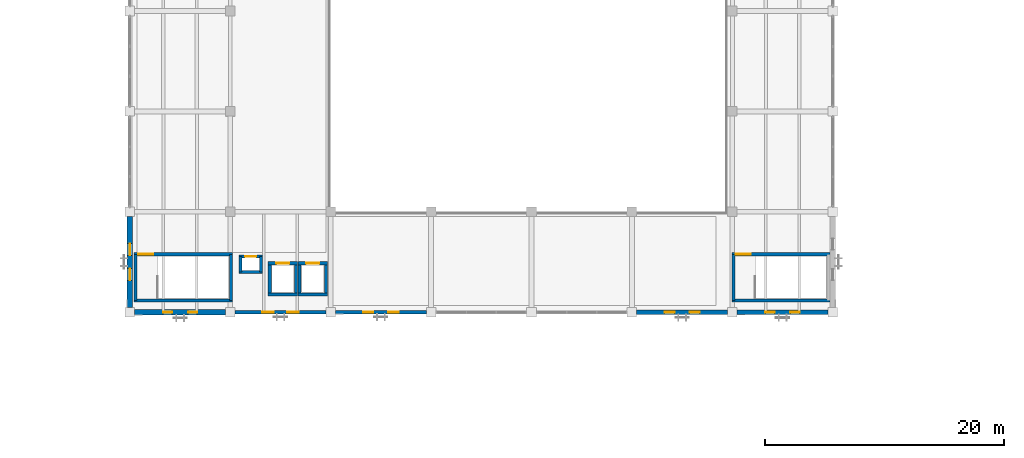
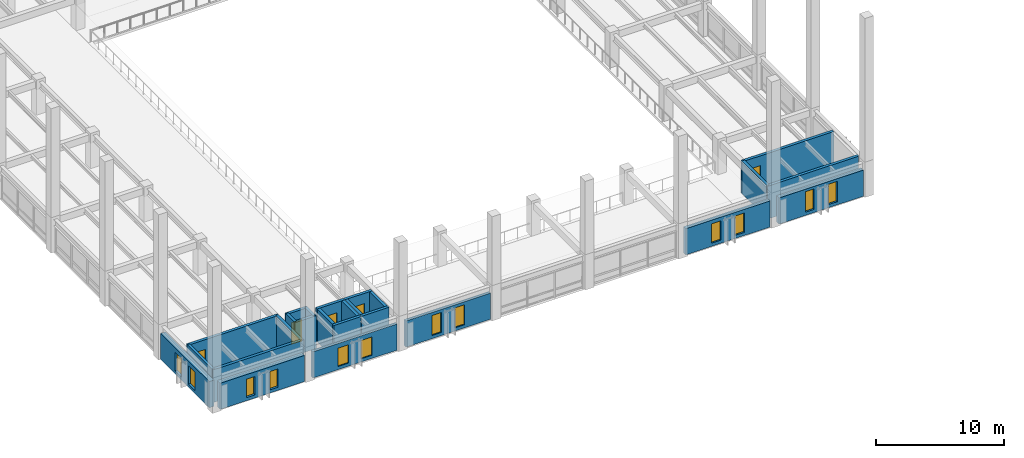
# One storey, part 30 of 64: 25 walls, 12 windows, 5 doors, 17 openings.
"""IFC4 building model written with IfcOpenShell, lengths in metres."""

from ifc_helpers import new_model, si_unit, direction, frame, frame_2d, origin, place, context, subcontext, project, spatial, rectangle, extrude, material, layer, layer_set, type_object, element, fill, save


model = new_model("IFC4")

# Units and contexts
model_context = context("Model", 3, precision=1e-05, world=origin(), true_north=direction((0.0, 1.0)))
body_context = subcontext(model_context, "Body", "Model", "MODEL_VIEW")
ifc_project = project(units=[si_unit("LENGTHUNIT", "METRE"), si_unit("AREAUNIT", "SQUARE_METRE"), si_unit("VOLUMEUNIT", "CUBIC_METRE"), si_unit("PLANEANGLEUNIT", "RADIAN"), si_unit("MASSUNIT", "GRAM", prefix="KILO")], contexts=[model_context])

# Site, building, storey
site_placement = place(None, origin())
site = spatial("IfcSite", under=ifc_project, at=site_placement, CompositionType="ELEMENT")
building_placement = place(site_placement, origin())
building = spatial("IfcBuilding", under=site, at=building_placement, Name="Cumbredor Promenade Congress Hotel", CompositionType="ELEMENT")
storey_placement = place(building_placement, frame((0.0, 0.0, 18.47998046875)))
storey = spatial("IfcBuildingStorey", under=building, at=storey_placement, Name="L05", CompositionType="ELEMENT", Elevation=18.47998046875)

# Wall, openings, windows
ifc_material_1 = material(Name="Concrete C40/50", Category="concrete")
ifc_layer_1 = layer(ifc_material_1, 0.260009765625, Name="Concrete C40/50", Category="concrete")
ifc_layer_set_1 = layer_set([ifc_layer_1], Name="Concrete C40/50")
wall_type_1 = type_object("IfcWallType", Name="WL-EXT-260", PredefinedType="SOLIDWALL", material=ifc_layer_set_1)
wall_1_placement = place(storey_placement, frame((17.200927734375, 8.39990234375, 0.0), z_axis=(0.0, 0.0, 1.0), x_axis=(1.0, 0.0, 0.0)))
wall_1 = element("IfcWall", 1, at=wall_1_placement, inside=storey, type_object=wall_type_1, Name="L05 Plenary Congress Hall South Envelope Wall 2", PredefinedType="SOLIDWALL", context=body_context, shape_type="SweptSolid", body=[
    extrude(rectangle(XDim=7.59814453125, YDim=0.260009765625, at=frame_2d((3.799072265625, 0.0))), origin(), (0.0, 0.0, 1.0), 2.494140625),
])
opening_1_placement = place(wall_1_placement, frame((2.259033203125, 0.0, 0.300048828125)))
opening_1 = element("IfcOpeningElement", 2, at=opening_1_placement, cuts=wall_1, Name="Opening WN-64", PredefinedType="OPENING", context=body_context, shape_type="SweptSolid", body=[
    extrude(rectangle(XDim=0.97998046875, YDim=1.75, at=frame_2d((0.489990234375, 0.875))), frame((0.0, 0.14013671875, 0.0), z_axis=(0.0, -1.0, 0.0), x_axis=(1.0, 0.0, 0.0)), (0.0, 0.0, 1.0), 0.280029296875),
])
opening_2_placement = place(wall_1_placement, frame((4.35888671875, 0.0, 0.300048828125)))
opening_2 = element("IfcOpeningElement", 3, at=opening_2_placement, cuts=wall_1, Name="Opening WN-64", PredefinedType="OPENING", context=body_context, shape_type="SweptSolid", body=[
    extrude(rectangle(XDim=0.97998046875, YDim=1.75, at=frame_2d((0.489990234375, 0.875))), frame((0.0, 0.14013671875, 0.0), z_axis=(0.0, -1.0, 0.0), x_axis=(1.0, 0.0, 0.0)), (0.0, 0.0, 1.0), 0.280029296875),
])
ifc_material_2 = material(Name="Thermally broken anodized aluminium and low-E glass", Category="aluminium")
window_type_1 = type_object("IfcWindowType", Name="Vertical Slot Window WN-64 980x1750", PartitioningType="SINGLE_PANEL", PredefinedType="WINDOW", material=ifc_material_2)
window_1_placement = place(opening_1_placement, origin())
window_1 = element("IfcWindow", 4, at=window_1_placement, inside=storey, type_object=window_type_1, Name="L05 Vertical Slot Window 0516", OverallHeight=1.75, OverallWidth=0.97998046875, PartitioningType="SINGLE_PANEL", PredefinedType="WINDOW", context=body_context, shape_type="SweptSolid", body=[
    extrude(rectangle(XDim=0.97998046875, YDim=1.75, at=frame_2d((0.489990234375, 0.875))), frame((0.0, 0.030029296875, 0.0), z_axis=(0.0, -1.0, 0.0), x_axis=(1.0, 0.0, 0.0)), (0.0, 0.0, 1.0), 0.06005859375),
])
fill(opening_1, window_1)
window_2_placement = place(opening_2_placement, origin())
window_2 = element("IfcWindow", 5, at=window_2_placement, inside=storey, type_object=window_type_1, Name="L05 Vertical Slot Window 0517", OverallHeight=1.75, OverallWidth=0.97998046875, PartitioningType="SINGLE_PANEL", PredefinedType="WINDOW", context=body_context, shape_type="SweptSolid", body=[
    extrude(rectangle(XDim=0.97998046875, YDim=1.75, at=frame_2d((0.489990234375, 0.875))), frame((0.0, 0.030029296875, 0.0), z_axis=(0.0, -1.0, 0.0), x_axis=(1.0, 0.0, 0.0)), (0.0, 0.0, 1.0), 0.06005859375),
])
fill(opening_2, window_2)

ifc_layer_2 = layer(ifc_material_1, 0.280029296875, Name="Concrete C40/50", Category="concrete")
ifc_layer_set_2 = layer_set([ifc_layer_2], Name="Concrete C40/50")
wall_type_2 = type_object("IfcWallType", Name="WL-EXT-280", PredefinedType="SOLIDWALL", material=ifc_layer_set_2)
wall_2_placement = place(storey_placement, frame((25.60107421875, 8.39990234375, 0.0), z_axis=(0.0, 0.0, 1.0), x_axis=(1.0, 0.0, 0.0)))
wall_2 = element("IfcWall", 6, at=wall_2_placement, inside=storey, type_object=wall_type_2, Name="L05 Plenary Congress Hall South Envelope Wall 3", PredefinedType="SOLIDWALL", context=body_context, shape_type="SweptSolid", body=[
    extrude(rectangle(XDim=7.597900390625, YDim=0.280029296875, at=frame_2d((3.798828125, 0.0))), origin(), (0.0, 0.0, 1.0), 2.494140625),
])
opening_3_placement = place(wall_2_placement, frame((2.323974609375, 0.0, 0.300048828125)))
opening_3 = element("IfcOpeningElement", 7, at=opening_3_placement, cuts=wall_2, Name="Opening WN-67", PredefinedType="OPENING", context=body_context, shape_type="SweptSolid", body=[
    extrude(rectangle(XDim=0.85009765625, YDim=1.89990234375, at=frame_2d((0.425048828125, 0.949951171875))), frame((0.0, 0.14990234375, 0.0), z_axis=(0.0, -1.0, 0.0), x_axis=(1.0, 0.0, 0.0)), (0.0, 0.0, 1.0), 0.300048828125),
])
opening_4_placement = place(wall_2_placement, frame((4.424072265625, 0.0, 0.300048828125)))
opening_4 = element("IfcOpeningElement", 8, at=opening_4_placement, cuts=wall_2, Name="Opening WN-67", PredefinedType="OPENING", context=body_context, shape_type="SweptSolid", body=[
    extrude(rectangle(XDim=0.85009765625, YDim=1.89990234375, at=frame_2d((0.425048828125, 0.949951171875))), frame((0.0, 0.14990234375, 0.0), z_axis=(0.0, -1.0, 0.0), x_axis=(1.0, 0.0, 0.0)), (0.0, 0.0, 1.0), 0.300048828125),
])
window_type_2 = type_object("IfcWindowType", Name="Vertical Slot Window WN-67 850x1900", PartitioningType="SINGLE_PANEL", PredefinedType="WINDOW", material=ifc_material_2)
window_3_placement = place(opening_3_placement, origin())
window_3 = element("IfcWindow", 9, at=window_3_placement, inside=storey, type_object=window_type_2, Name="L05 Vertical Slot Window 0518", OverallHeight=1.89990234375, OverallWidth=0.85009765625, PartitioningType="SINGLE_PANEL", PredefinedType="WINDOW", context=body_context, shape_type="SweptSolid", body=[
    extrude(rectangle(XDim=0.85009765625, YDim=1.89990234375, at=frame_2d((0.425048828125, 0.949951171875))), frame((0.0, 0.030029296875, 0.0), z_axis=(0.0, -1.0, 0.0), x_axis=(1.0, 0.0, 0.0)), (0.0, 0.0, 1.0), 0.06005859375),
])
fill(opening_3, window_3)
window_4_placement = place(opening_4_placement, origin())
window_4 = element("IfcWindow", 10, at=window_4_placement, inside=storey, type_object=window_type_2, Name="L05 Vertical Slot Window 0519", OverallHeight=1.89990234375, OverallWidth=0.85009765625, PartitioningType="SINGLE_PANEL", PredefinedType="WINDOW", context=body_context, shape_type="SweptSolid", body=[
    extrude(rectangle(XDim=0.85009765625, YDim=1.89990234375, at=frame_2d((0.425048828125, 0.949951171875))), frame((0.0, 0.030029296875, 0.0), z_axis=(0.0, -1.0, 0.0), x_axis=(1.0, 0.0, 0.0)), (0.0, 0.0, 1.0), 0.06005859375),
])
fill(opening_4, window_4)

ifc_layer_3 = layer(ifc_material_1, 0.35009765625, Name="Concrete C40/50", Category="concrete")
ifc_layer_set_3 = layer_set([ifc_layer_3], Name="Concrete C40/50")
wall_type_3 = type_object("IfcWallType", Name="WL-EXT-350", PredefinedType="SOLIDWALL", material=ifc_layer_set_3)
wall_3_placement = place(storey_placement, frame((50.801025390625, 8.39990234375, 0.0), z_axis=(0.0, 0.0, 1.0), x_axis=(1.0, 0.0, 0.0)))
wall_3 = element("IfcWall", 11, at=wall_3_placement, inside=storey, type_object=wall_type_3, Name="L05 Plenary Congress Hall South Envelope Wall 6", PredefinedType="SOLIDWALL", context=body_context, shape_type="SweptSolid", body=[
    extrude(rectangle(XDim=7.597900390625, YDim=0.35009765625, at=frame_2d((3.798828125, 0.0))), origin(), (0.0, 0.0, 1.0), 2.494140625),
])
opening_5_placement = place(wall_3_placement, frame((2.3291015625, 0.0, 0.300048828125)))
opening_5 = element("IfcOpeningElement", 12, at=opening_5_placement, cuts=wall_3, Name="Opening WN-47", PredefinedType="OPENING", context=body_context, shape_type="SweptSolid", body=[
    extrude(rectangle(XDim=0.840087890625, YDim=1.85009765625, at=frame_2d((0.419921875, 0.925048828125))), frame((0.0, 0.18505859375, 0.0), z_axis=(0.0, -1.0, 0.0), x_axis=(1.0, 0.0, 0.0)), (0.0, 0.0, 1.0), 0.3701171875),
])
opening_6_placement = place(wall_3_placement, frame((4.428955078125, 0.0, 0.300048828125)))
opening_6 = element("IfcOpeningElement", 13, at=opening_6_placement, cuts=wall_3, Name="Opening WN-47", PredefinedType="OPENING", context=body_context, shape_type="SweptSolid", body=[
    extrude(rectangle(XDim=0.840087890625, YDim=1.85009765625, at=frame_2d((0.419921875, 0.925048828125))), frame((0.0, 0.18505859375, 0.0), z_axis=(0.0, -1.0, 0.0), x_axis=(1.0, 0.0, 0.0)), (0.0, 0.0, 1.0), 0.3701171875),
])
window_type_3 = type_object("IfcWindowType", Name="Vertical Slot Window WN-47 840x1850", PartitioningType="SINGLE_PANEL", PredefinedType="WINDOW", material=ifc_material_2)
window_5_placement = place(opening_5_placement, origin())
window_5 = element("IfcWindow", 14, at=window_5_placement, inside=storey, type_object=window_type_3, Name="L05 Vertical Slot Window 0520", OverallHeight=1.85009765625, OverallWidth=0.840087890625, PartitioningType="SINGLE_PANEL", PredefinedType="WINDOW", context=body_context, shape_type="SweptSolid", body=[
    extrude(rectangle(XDim=0.840087890625, YDim=1.85009765625, at=frame_2d((0.419921875, 0.925048828125))), frame((0.0, 0.030029296875, 0.0), z_axis=(0.0, -1.0, 0.0), x_axis=(1.0, 0.0, 0.0)), (0.0, 0.0, 1.0), 0.06005859375),
])
fill(opening_5, window_5)
window_6_placement = place(opening_6_placement, origin())
window_6 = element("IfcWindow", 15, at=window_6_placement, inside=storey, type_object=window_type_3, Name="L05 Vertical Slot Window 0521", OverallHeight=1.85009765625, OverallWidth=0.840087890625, PartitioningType="SINGLE_PANEL", PredefinedType="WINDOW", context=body_context, shape_type="SweptSolid", body=[
    extrude(rectangle(XDim=0.840087890625, YDim=1.85009765625, at=frame_2d((0.419921875, 0.925048828125))), frame((0.0, 0.030029296875, 0.0), z_axis=(0.0, -1.0, 0.0), x_axis=(1.0, 0.0, 0.0)), (0.0, 0.0, 1.0), 0.06005859375),
])
fill(opening_6, window_6)

ifc_layer_4 = layer(ifc_material_1, 0.3798828125, Name="Concrete C40/50", Category="concrete")
ifc_layer_set_4 = layer_set([ifc_layer_4], Name="Concrete C40/50")
wall_type_4 = type_object("IfcWallType", Name="WL-EXT-380", PredefinedType="SOLIDWALL", material=ifc_layer_set_4)
wall_4_placement = place(storey_placement, frame((59.200927734375, 8.39990234375, 0.0), z_axis=(0.0, 0.0, 1.0), x_axis=(1.0, 0.0, 0.0)))
wall_4 = element("IfcWall", 16, at=wall_4_placement, inside=storey, type_object=wall_type_4, Name="L05 Plenary Congress Hall South Envelope Wall 7", PredefinedType="SOLIDWALL", context=body_context, shape_type="SweptSolid", body=[
    extrude(rectangle(XDim=7.59814453125, YDim=0.3798828125, at=frame_2d((3.799072265625, 0.0))), origin(), (0.0, 0.0, 1.0), 2.494140625),
])
opening_7_placement = place(wall_4_placement, frame((2.35888671875, 0.0, 0.300048828125)))
opening_7 = element("IfcOpeningElement", 17, at=opening_7_placement, cuts=wall_4, Name="Opening WN-50", PredefinedType="OPENING", context=body_context, shape_type="SweptSolid", body=[
    extrude(rectangle(XDim=0.780029296875, YDim=1.949951171875, at=frame_2d((0.39013671875, 0.97509765625))), frame((0.0, 0.199951171875, 0.0), z_axis=(0.0, -1.0, 0.0), x_axis=(1.0, 0.0, 0.0)), (0.0, 0.0, 1.0), 0.39990234375),
])
opening_8_placement = place(wall_4_placement, frame((4.458984375, 0.0, 0.300048828125)))
opening_8 = element("IfcOpeningElement", 18, at=opening_8_placement, cuts=wall_4, Name="Opening WN-50", PredefinedType="OPENING", context=body_context, shape_type="SweptSolid", body=[
    extrude(rectangle(XDim=0.780029296875, YDim=1.949951171875, at=frame_2d((0.39013671875, 0.97509765625))), frame((0.0, 0.199951171875, 0.0), z_axis=(0.0, -1.0, 0.0), x_axis=(1.0, 0.0, 0.0)), (0.0, 0.0, 1.0), 0.39990234375),
])
window_type_4 = type_object("IfcWindowType", Name="Vertical Slot Window WN-50 780x1950", PartitioningType="SINGLE_PANEL", PredefinedType="WINDOW", material=ifc_material_2)
window_7_placement = place(opening_7_placement, origin())
window_7 = element("IfcWindow", 19, at=window_7_placement, inside=storey, type_object=window_type_4, Name="L05 Vertical Slot Window 0522", OverallHeight=1.949951171875, OverallWidth=0.780029296875, PartitioningType="SINGLE_PANEL", PredefinedType="WINDOW", context=body_context, shape_type="SweptSolid", body=[
    extrude(rectangle(XDim=0.780029296875, YDim=1.949951171875, at=frame_2d((0.39013671875, 0.97509765625))), frame((0.0, 0.030029296875, 0.0), z_axis=(0.0, -1.0, 0.0), x_axis=(1.0, 0.0, 0.0)), (0.0, 0.0, 1.0), 0.06005859375),
])
fill(opening_7, window_7)
window_8_placement = place(opening_8_placement, origin())
window_8 = element("IfcWindow", 20, at=window_8_placement, inside=storey, type_object=window_type_4, Name="L05 Vertical Slot Window 0523", OverallHeight=1.949951171875, OverallWidth=0.780029296875, PartitioningType="SINGLE_PANEL", PredefinedType="WINDOW", context=body_context, shape_type="SweptSolid", body=[
    extrude(rectangle(XDim=0.780029296875, YDim=1.949951171875, at=frame_2d((0.39013671875, 0.97509765625))), frame((0.0, 0.030029296875, 0.0), z_axis=(0.0, -1.0, 0.0), x_axis=(1.0, 0.0, 0.0)), (0.0, 0.0, 1.0), 0.06005859375),
])
fill(opening_8, window_8)

ifc_layer_5 = layer(ifc_material_1, 0.449951171875, Name="Concrete C40/50", Category="concrete")
ifc_layer_set_5 = layer_set([ifc_layer_5], Name="Concrete C40/50")
wall_type_5 = type_object("IfcWallType", Name="WL-EXT-450", PredefinedType="SOLIDWALL", material=ifc_layer_set_5)
wall_5_placement = place(storey_placement, frame((8.801025390625, 8.39990234375, 0.0), z_axis=(0.0, 0.0, 1.0), x_axis=(1.0, 0.0, 0.0)))
wall_5 = element("IfcWall", 21, at=wall_5_placement, inside=storey, type_object=wall_type_5, Name="L05 Plenary Congress Hall South Envelope Wall 1", PredefinedType="SOLIDWALL", context=body_context, shape_type="SweptSolid", body=[
    extrude(rectangle(XDim=7.597900390625, YDim=0.449951171875, at=frame_2d((3.798828125, 0.0))), origin(), (0.0, 0.0, 1.0), 2.494140625),
])
opening_9_placement = place(wall_5_placement, frame((2.368896484375, 0.0, 0.300048828125)))
opening_9 = element("IfcOpeningElement", 22, at=opening_9_placement, cuts=wall_5, Name="Opening WN-61", PredefinedType="OPENING", context=body_context, shape_type="SweptSolid", body=[
    extrude(rectangle(XDim=0.760009765625, YDim=1.75, at=frame_2d((0.3798828125, 0.875))), frame((0.0, 0.23486328125, 0.0), z_axis=(0.0, -1.0, 0.0), x_axis=(1.0, 0.0, 0.0)), (0.0, 0.0, 1.0), 0.469970703125),
])
opening_10_placement = place(wall_5_placement, frame((4.468994140625, 0.0, 0.300048828125)))
opening_10 = element("IfcOpeningElement", 23, at=opening_10_placement, cuts=wall_5, Name="Opening WN-61", PredefinedType="OPENING", context=body_context, shape_type="SweptSolid", body=[
    extrude(rectangle(XDim=0.760009765625, YDim=1.75, at=frame_2d((0.3798828125, 0.875))), frame((0.0, 0.23486328125, 0.0), z_axis=(0.0, -1.0, 0.0), x_axis=(1.0, 0.0, 0.0)), (0.0, 0.0, 1.0), 0.469970703125),
])
window_type_5 = type_object("IfcWindowType", Name="Vertical Slot Window WN-61 760x1750", PartitioningType="SINGLE_PANEL", PredefinedType="WINDOW", material=ifc_material_2)
window_9_placement = place(opening_9_placement, origin())
window_9 = element("IfcWindow", 24, at=window_9_placement, inside=storey, type_object=window_type_5, Name="L05 Vertical Slot Window 0514", OverallHeight=1.75, OverallWidth=0.760009765625, PartitioningType="SINGLE_PANEL", PredefinedType="WINDOW", context=body_context, shape_type="SweptSolid", body=[
    extrude(rectangle(XDim=0.760009765625, YDim=1.75, at=frame_2d((0.3798828125, 0.875))), frame((0.0, 0.030029296875, 0.0), z_axis=(0.0, -1.0, 0.0), x_axis=(1.0, 0.0, 0.0)), (0.0, 0.0, 1.0), 0.06005859375),
])
fill(opening_9, window_9)
window_10_placement = place(opening_10_placement, origin())
window_10 = element("IfcWindow", 25, at=window_10_placement, inside=storey, type_object=window_type_5, Name="L05 Vertical Slot Window 0515", OverallHeight=1.75, OverallWidth=0.760009765625, PartitioningType="SINGLE_PANEL", PredefinedType="WINDOW", context=body_context, shape_type="SweptSolid", body=[
    extrude(rectangle(XDim=0.760009765625, YDim=1.75, at=frame_2d((0.3798828125, 0.875))), frame((0.0, 0.030029296875, 0.0), z_axis=(0.0, -1.0, 0.0), x_axis=(1.0, 0.0, 0.0)), (0.0, 0.0, 1.0), 0.06005859375),
])
fill(opening_10, window_10)

wall_6_placement = place(storey_placement, frame((8.39990234375, 8.801025390625, 0.0), z_axis=(0.0, 0.0, 1.0), x_axis=(0.0, 1.0, 0.0)))
wall_6 = element("IfcWall", 26, at=wall_6_placement, inside=storey, type_object=wall_type_5, Name="L05 Plenary Congress Hall West Envelope Wall 1", PredefinedType="SOLIDWALL", context=body_context, shape_type="SweptSolid", body=[
    extrude(rectangle(XDim=7.597900390625, YDim=0.449951171875, at=frame_2d((3.798828125, 0.0))), origin(), (0.0, 0.0, 1.0), 2.494140625),
])
opening_11_placement = place(wall_6_placement, frame((2.259033203125, 0.0, 0.300048828125)))
opening_11 = element("IfcOpeningElement", 27, at=opening_11_placement, cuts=wall_6, Name="Opening WN-64", PredefinedType="OPENING", context=body_context, shape_type="SweptSolid", body=[
    extrude(rectangle(XDim=0.97998046875, YDim=1.75, at=frame_2d((0.489990234375, 0.875))), frame((0.0, 0.23486328125, 0.0), z_axis=(0.0, -1.0, 0.0), x_axis=(1.0, 0.0, 0.0)), (0.0, 0.0, 1.0), 0.469970703125),
])
opening_12_placement = place(wall_6_placement, frame((4.35888671875, 0.0, 0.300048828125)))
opening_12 = element("IfcOpeningElement", 28, at=opening_12_placement, cuts=wall_6, Name="Opening WN-64", PredefinedType="OPENING", context=body_context, shape_type="SweptSolid", body=[
    extrude(rectangle(XDim=0.97998046875, YDim=1.75, at=frame_2d((0.489990234375, 0.875))), frame((0.0, 0.23486328125, 0.0), z_axis=(0.0, -1.0, 0.0), x_axis=(1.0, 0.0, 0.0)), (0.0, 0.0, 1.0), 0.469970703125),
])
window_11_placement = place(opening_11_placement, origin())
window_11 = element("IfcWindow", 29, at=window_11_placement, inside=storey, type_object=window_type_1, Name="L05 Vertical Slot Window 0534", OverallHeight=1.75, OverallWidth=0.97998046875, PartitioningType="SINGLE_PANEL", PredefinedType="WINDOW", context=body_context, shape_type="SweptSolid", body=[
    extrude(rectangle(XDim=0.97998046875, YDim=1.75, at=frame_2d((0.489990234375, 0.875))), frame((0.0, 0.030029296875, 0.0), z_axis=(0.0, -1.0, 0.0), x_axis=(1.0, 0.0, 0.0)), (0.0, 0.0, 1.0), 0.06005859375),
])
fill(opening_11, window_11)
window_12_placement = place(opening_12_placement, origin())
window_12 = element("IfcWindow", 30, at=window_12_placement, inside=storey, type_object=window_type_1, Name="L05 Vertical Slot Window 0535", OverallHeight=1.75, OverallWidth=0.97998046875, PartitioningType="SINGLE_PANEL", PredefinedType="WINDOW", context=body_context, shape_type="SweptSolid", body=[
    extrude(rectangle(XDim=0.97998046875, YDim=1.75, at=frame_2d((0.489990234375, 0.875))), frame((0.0, 0.030029296875, 0.0), z_axis=(0.0, -1.0, 0.0), x_axis=(1.0, 0.0, 0.0)), (0.0, 0.0, 1.0), 0.06005859375),
])
fill(opening_12, window_12)

# Wall
ifc_layer_6 = layer(ifc_material_1, 0.2548828125, Name="Concrete C40/50", Category="concrete")
ifc_layer_set_6 = layer_set([ifc_layer_6], Name="Concrete C40/50")
wall_type_6 = type_object("IfcWallType", Name="WL-SHAFT-250", PredefinedType="SOLIDWALL", material=ifc_layer_set_6)
wall_7_placement = place(storey_placement, frame((8.75244140625, 9.3798828125, 0.0), z_axis=(0.0, 0.0, 1.0), x_axis=(1.0, 0.0, 0.0)))
element("IfcWall", 31, at=wall_7_placement, inside=storey, type_object=wall_type_6, Name="STAIR-ST-04-L05 Shaft Wall South", PredefinedType="SOLIDWALL", context=body_context, shape_type="SweptSolid", body=[
    extrude(rectangle(XDim=8.22509765625, YDim=0.2548828125, at=frame_2d((4.112548828125, 0.0))), origin(), (0.0, 0.0, 1.0), 3.125),
])

# Wall, opening, door
wall_8_placement = place(storey_placement, frame((8.75244140625, 13.25, 0.0), z_axis=(0.0, 0.0, 1.0), x_axis=(1.0, 0.0, 0.0)))
wall_8 = element("IfcWall", 32, at=wall_8_placement, inside=storey, type_object=wall_type_6, Name="STAIR-ST-04-L05 Shaft Wall North", PredefinedType="SOLIDWALL", context=body_context, shape_type="SweptSolid", body=[
    extrude(rectangle(XDim=8.22509765625, YDim=0.2548828125, at=frame_2d((4.112548828125, 0.0))), origin(), (0.0, 0.0, 1.0), 3.125),
])
opening_13_placement = place(wall_8_placement, frame((0.35009765625, 0.0, 0.0)))
opening_13 = element("IfcOpeningElement", 33, at=opening_13_placement, cuts=wall_8, Name="Opening SD-02", PredefinedType="OPENING", context=body_context, shape_type="SweptSolid", body=[
    extrude(rectangle(XDim=1.25, YDim=2.199951171875, at=frame_2d((0.625, 1.10009765625))), frame((0.0, 0.137451171875, 0.0), z_axis=(0.0, -1.0, 0.0), x_axis=(1.0, 0.0, 0.0)), (0.0, 0.0, 1.0), 0.27490234375),
])
ifc_material_3 = material(Name="Painted galvanized steel fire door", Category="steel")
door_type_1 = type_object("IfcDoorType", Name="DR-STAIR-FD90-1250", OperationType="NOTDEFINED", PredefinedType="DOOR", material=ifc_material_3)
door_1_placement = place(opening_13_placement, origin())
door_1 = element("IfcDoor", 34, at=door_1_placement, inside=storey, type_object=door_type_1, Name="L05 Protected Exit Stair ST-04 Door", OperationType="SINGLE_SWING_RIGHT", OverallHeight=2.199951171875, OverallWidth=1.25, PredefinedType="DOOR", context=body_context, shape_type="SweptSolid", body=[
    extrude(rectangle(XDim=1.25, YDim=2.199951171875, at=frame_2d((0.625, 1.10009765625))), frame((0.0, 0.02490234375, 0.0), z_axis=(0.0, -1.0, 0.0), x_axis=(1.0, 0.0, 0.0)), (0.0, 0.0, 1.0), 0.050048828125),
])
fill(opening_13, door_1)

# Walls
for number, where, z_axis, x_axis, name in (
    (35, (8.8798828125, 9.3798828125, 0.0), (0.0, 0.0, 1.0), (0.0, 1.0, 0.0), "STAIR-ST-04-L05 Shaft Wall West"),
    (36, (16.85009765625, 9.3798828125, 0.0), (0.0, 0.0, 1.0), (0.0, 1.0, 0.0), "STAIR-ST-04-L05 Shaft Wall East"),
):
    element("IfcWall", number, at=place(storey_placement, frame(where, z_axis=z_axis, x_axis=x_axis)), inside=storey, type_object=wall_type_6, Name=name, PredefinedType="SOLIDWALL", context=body_context, shape_type="SweptSolid", body=[
        extrude(rectangle(XDim=3.8701171875, YDim=0.2548828125, at=frame_2d((1.93505859375, 0.0))), origin(), (0.0, 0.0, 1.0), 3.125),
    ])
wall_9_placement = place(storey_placement, frame((58.75244140625, 9.3798828125, 0.0), z_axis=(0.0, 0.0, 1.0), x_axis=(1.0, 0.0, 0.0)))
element("IfcWall", 37, at=wall_9_placement, inside=storey, type_object=wall_type_6, Name="STAIR-ST-05-L05 Shaft Wall South", PredefinedType="SOLIDWALL", context=body_context, shape_type="SweptSolid", body=[
    extrude(rectangle(XDim=8.22509765625, YDim=0.2548828125, at=frame_2d((4.112548828125, 0.0))), origin(), (0.0, 0.0, 1.0), 3.125),
])

# Wall, opening, door
wall_10_placement = place(storey_placement, frame((58.75244140625, 13.25, 0.0), z_axis=(0.0, 0.0, 1.0), x_axis=(1.0, 0.0, 0.0)))
wall_10 = element("IfcWall", 38, at=wall_10_placement, inside=storey, type_object=wall_type_6, Name="STAIR-ST-05-L05 Shaft Wall North", PredefinedType="SOLIDWALL", context=body_context, shape_type="SweptSolid", body=[
    extrude(rectangle(XDim=8.22509765625, YDim=0.2548828125, at=frame_2d((4.112548828125, 0.0))), origin(), (0.0, 0.0, 1.0), 3.125),
])
opening_14_placement = place(wall_10_placement, frame((0.35009765625, 0.0, 0.0)))
opening_14 = element("IfcOpeningElement", 39, at=opening_14_placement, cuts=wall_10, Name="Opening SD-02", PredefinedType="OPENING", context=body_context, shape_type="SweptSolid", body=[
    extrude(rectangle(XDim=1.25, YDim=2.199951171875, at=frame_2d((0.625, 1.10009765625))), frame((0.0, 0.137451171875, 0.0), z_axis=(0.0, -1.0, 0.0), x_axis=(1.0, 0.0, 0.0)), (0.0, 0.0, 1.0), 0.27490234375),
])
door_2_placement = place(opening_14_placement, origin())
door_2 = element("IfcDoor", 40, at=door_2_placement, inside=storey, type_object=door_type_1, Name="L05 Protected Exit Stair ST-05 Door", OperationType="SINGLE_SWING_RIGHT", OverallHeight=2.199951171875, OverallWidth=1.25, PredefinedType="DOOR", context=body_context, shape_type="SweptSolid", body=[
    extrude(rectangle(XDim=1.25, YDim=2.199951171875, at=frame_2d((0.625, 1.10009765625))), frame((0.0, 0.02490234375, 0.0), z_axis=(0.0, -1.0, 0.0), x_axis=(1.0, 0.0, 0.0)), (0.0, 0.0, 1.0), 0.050048828125),
])
fill(opening_14, door_2)

# Walls
wall_11_placement = place(storey_placement, frame((58.8798828125, 9.3798828125, 0.0), z_axis=(0.0, 0.0, 1.0), x_axis=(0.0, 1.0, 0.0)))
element("IfcWall", 41, at=wall_11_placement, inside=storey, type_object=wall_type_6, Name="STAIR-ST-05-L05 Shaft Wall West", PredefinedType="SOLIDWALL", context=body_context, shape_type="SweptSolid", body=[
    extrude(rectangle(XDim=3.8701171875, YDim=0.2548828125, at=frame_2d((1.93505859375, 0.0))), origin(), (0.0, 0.0, 1.0), 3.125),
])
wall_12_placement = place(storey_placement, frame((19.972412109375, 9.89990234375, 0.0), z_axis=(0.0, 0.0, 1.0), x_axis=(1.0, 0.0, 0.0)))
element("IfcWall", 42, at=wall_12_placement, inside=storey, type_object=wall_type_6, Name="SHAFT-PL-05-L05 Shaft Wall South", PredefinedType="SOLIDWALL", context=body_context, shape_type="SweptSolid", body=[
    extrude(rectangle(XDim=2.455078125, YDim=0.2548828125, at=frame_2d((1.2275390625, 0.0))), origin(), (0.0, 0.0, 1.0), 3.125),
])

# Wall, opening, door
wall_13_placement = place(storey_placement, frame((19.972412109375, 12.5, 0.0), z_axis=(0.0, 0.0, 1.0), x_axis=(1.0, 0.0, 0.0)))
wall_13 = element("IfcWall", 43, at=wall_13_placement, inside=storey, type_object=wall_type_6, Name="SHAFT-PL-05-L05 Shaft Wall North", PredefinedType="SOLIDWALL", context=body_context, shape_type="SweptSolid", body=[
    extrude(rectangle(XDim=2.455078125, YDim=0.2548828125, at=frame_2d((1.2275390625, 0.0))), origin(), (0.0, 0.0, 1.0), 3.125),
])
opening_15_placement = place(wall_13_placement, frame((0.677490234375, 0.0, 0.0)))
opening_15 = element("IfcOpeningElement", 44, at=opening_15_placement, cuts=wall_13, Name="Opening LD-01", PredefinedType="OPENING", context=body_context, shape_type="SweptSolid", body=[
    extrude(rectangle(XDim=1.10009765625, YDim=2.14990234375, at=frame_2d((0.550048828125, 1.074951171875))), frame((0.0, 0.137451171875, 0.0), z_axis=(0.0, -1.0, 0.0), x_axis=(1.0, 0.0, 0.0)), (0.0, 0.0, 1.0), 0.27490234375),
])
ifc_material_4 = material(Name="Brushed stainless steel", Category="steel")
door_type_2 = type_object("IfcDoorType", Name="Lift Landing Sliding Door LD-01 1100x2150", OperationType="DOUBLE_DOOR_SLIDING", PredefinedType="DOOR", material=ifc_material_4)
door_3_placement = place(opening_15_placement, origin())
door_3 = element("IfcDoor", 45, at=door_3_placement, inside=storey, type_object=door_type_2, Name="L05 Plenary Passenger Lift PL-05 Sliding Landing Door", OperationType="DOUBLE_DOOR_SLIDING", OverallHeight=2.14990234375, OverallWidth=1.10009765625, PredefinedType="DOOR", context=body_context, shape_type="SweptSolid", body=[
    extrude(rectangle(XDim=1.10009765625, YDim=2.14990234375, at=frame_2d((0.550048828125, 1.074951171875))), frame((0.0, 0.02490234375, 0.0), z_axis=(0.0, -1.0, 0.0), x_axis=(1.0, 0.0, 0.0)), (0.0, 0.0, 1.0), 0.050048828125),
])
fill(opening_15, door_3)

# Walls
for number, where, z_axis, x_axis, name in (
    (46, (20.10009765625, 9.89990234375, 0.0), (0.0, 0.0, 1.0), (0.0, 1.0, 0.0), "SHAFT-PL-05-L05 Shaft Wall West"),
    (47, (22.300048828125, 9.89990234375, 0.0), (0.0, 0.0, 1.0), (0.0, 1.0, 0.0), "SHAFT-PL-05-L05 Shaft Wall East"),
):
    element("IfcWall", number, at=place(storey_placement, frame(where, z_axis=z_axis, x_axis=x_axis)), inside=storey, type_object=wall_type_6, Name=name, PredefinedType="SOLIDWALL", context=body_context, shape_type="SweptSolid", body=[
        extrude(rectangle(XDim=2.60009765625, YDim=0.2548828125, at=frame_2d((1.300048828125, 0.0))), origin(), (0.0, 0.0, 1.0), 3.125),
    ])
wall_14_placement = place(storey_placement, frame((22.472412109375, 9.89990234375, 0.0), z_axis=(0.0, 0.0, 1.0), x_axis=(1.0, 0.0, 0.0)))
element("IfcWall", 48, at=wall_14_placement, inside=storey, type_object=wall_type_6, Name="SHAFT-PL-06-L05 Shaft Wall South", PredefinedType="SOLIDWALL", context=body_context, shape_type="SweptSolid", body=[
    extrude(rectangle(XDim=2.455078125, YDim=0.2548828125, at=frame_2d((1.2275390625, 0.0))), origin(), (0.0, 0.0, 1.0), 3.125),
])

# Wall, opening, door
wall_15_placement = place(storey_placement, frame((22.472412109375, 12.5, 0.0), z_axis=(0.0, 0.0, 1.0), x_axis=(1.0, 0.0, 0.0)))
wall_15 = element("IfcWall", 49, at=wall_15_placement, inside=storey, type_object=wall_type_6, Name="SHAFT-PL-06-L05 Shaft Wall North", PredefinedType="SOLIDWALL", context=body_context, shape_type="SweptSolid", body=[
    extrude(rectangle(XDim=2.455078125, YDim=0.2548828125, at=frame_2d((1.2275390625, 0.0))), origin(), (0.0, 0.0, 1.0), 3.125),
])
opening_16_placement = place(wall_15_placement, frame((0.677490234375, 0.0, 0.0)))
opening_16 = element("IfcOpeningElement", 50, at=opening_16_placement, cuts=wall_15, Name="Opening LD-01", PredefinedType="OPENING", context=body_context, shape_type="SweptSolid", body=[
    extrude(rectangle(XDim=1.10009765625, YDim=2.14990234375, at=frame_2d((0.550048828125, 1.074951171875))), frame((0.0, 0.137451171875, 0.0), z_axis=(0.0, -1.0, 0.0), x_axis=(1.0, 0.0, 0.0)), (0.0, 0.0, 1.0), 0.27490234375),
])
door_4_placement = place(opening_16_placement, origin())
door_4 = element("IfcDoor", 51, at=door_4_placement, inside=storey, type_object=door_type_2, Name="L05 Plenary Passenger Lift PL-06 Sliding Landing Door", OperationType="DOUBLE_DOOR_SLIDING", OverallHeight=2.14990234375, OverallWidth=1.10009765625, PredefinedType="DOOR", context=body_context, shape_type="SweptSolid", body=[
    extrude(rectangle(XDim=1.10009765625, YDim=2.14990234375, at=frame_2d((0.550048828125, 1.074951171875))), frame((0.0, 0.02490234375, 0.0), z_axis=(0.0, -1.0, 0.0), x_axis=(1.0, 0.0, 0.0)), (0.0, 0.0, 1.0), 0.050048828125),
])
fill(opening_16, door_4)

# Walls
for number, where, z_axis, x_axis, name in (
    (52, (22.60009765625, 9.89990234375, 0.0), (0.0, 0.0, 1.0), (0.0, 1.0, 0.0), "SHAFT-PL-06-L05 Shaft Wall West"),
    (53, (24.800048828125, 9.89990234375, 0.0), (0.0, 0.0, 1.0), (0.0, 1.0, 0.0), "SHAFT-PL-06-L05 Shaft Wall East"),
):
    element("IfcWall", number, at=place(storey_placement, frame(where, z_axis=z_axis, x_axis=x_axis)), inside=storey, type_object=wall_type_6, Name=name, PredefinedType="SOLIDWALL", context=body_context, shape_type="SweptSolid", body=[
        extrude(rectangle(XDim=2.60009765625, YDim=0.2548828125, at=frame_2d((1.300048828125, 0.0))), origin(), (0.0, 0.0, 1.0), 3.125),
    ])
wall_16_placement = place(storey_placement, frame((17.5224609375, 11.75, 0.0), z_axis=(0.0, 0.0, 1.0), x_axis=(1.0, 0.0, 0.0)))
element("IfcWall", 54, at=wall_16_placement, inside=storey, type_object=wall_type_6, Name="RISER-MEP-R2-L05 Shaft Wall South", PredefinedType="SOLIDWALL", context=body_context, shape_type="SweptSolid", body=[
    extrude(rectangle(XDim=1.955078125, YDim=0.2548828125, at=frame_2d((0.9775390625, 0.0))), origin(), (0.0, 0.0, 1.0), 3.125),
])

# Wall, opening, door
wall_17_placement = place(storey_placement, frame((17.5224609375, 13.050048828125, 0.0), z_axis=(0.0, 0.0, 1.0), x_axis=(1.0, 0.0, 0.0)))
wall_17 = element("IfcWall", 55, at=wall_17_placement, inside=storey, type_object=wall_type_6, Name="RISER-MEP-R2-L05 Shaft Wall North", PredefinedType="SOLIDWALL", context=body_context, shape_type="SweptSolid", body=[
    extrude(rectangle(XDim=1.955078125, YDim=0.2548828125, at=frame_2d((0.9775390625, 0.0))), origin(), (0.0, 0.0, 1.0), 3.125),
])
opening_17_placement = place(wall_17_placement, frame((0.507568359375, 0.0, 0.0)))
opening_17 = element("IfcOpeningElement", 56, at=opening_17_placement, cuts=wall_17, Name="Opening FD-03", PredefinedType="OPENING", context=body_context, shape_type="SweptSolid", body=[
    extrude(rectangle(XDim=0.93994140625, YDim=2.10009765625, at=frame_2d((0.469970703125, 1.050048828125))), frame((0.0, 0.137451171875, 0.0), z_axis=(0.0, -1.0, 0.0), x_axis=(1.0, 0.0, 0.0)), (0.0, 0.0, 1.0), 0.27490234375),
])
door_type_3 = type_object("IfcDoorType", Name="DR-SGL-FD60-950", OperationType="NOTDEFINED", PredefinedType="DOOR", material=ifc_material_3)
door_5_placement = place(opening_17_placement, origin())
door_5 = element("IfcDoor", 57, at=door_5_placement, inside=storey, type_object=door_type_3, Name="L05 Plenary MEP Riser Shaft R2 Access Door", OperationType="SINGLE_SWING_LEFT", OverallHeight=2.10009765625, OverallWidth=0.93994140625, PredefinedType="DOOR", context=body_context, shape_type="SweptSolid", body=[
    extrude(rectangle(XDim=0.93994140625, YDim=2.10009765625, at=frame_2d((0.469970703125, 1.050048828125))), frame((0.0, 0.02490234375, 0.0), z_axis=(0.0, -1.0, 0.0), x_axis=(1.0, 0.0, 0.0)), (0.0, 0.0, 1.0), 0.050048828125),
])
fill(opening_17, door_5)

# Walls
for number, where, z_axis, x_axis, name in (
    (58, (17.64990234375, 11.75, 0.0), (0.0, 0.0, 1.0), (0.0, 1.0, 0.0), "RISER-MEP-R2-L05 Shaft Wall West"),
    (59, (19.35009765625, 11.75, 0.0), (0.0, 0.0, 1.0), (0.0, 1.0, 0.0), "RISER-MEP-R2-L05 Shaft Wall East"),
):
    element("IfcWall", number, at=place(storey_placement, frame(where, z_axis=z_axis, x_axis=x_axis)), inside=storey, type_object=wall_type_6, Name=name, PredefinedType="SOLIDWALL", context=body_context, shape_type="SweptSolid", body=[
        extrude(rectangle(XDim=1.300048828125, YDim=0.2548828125, at=frame_2d((0.64990234375, 0.0))), origin(), (0.0, 0.0, 1.0), 3.125),
    ])

save(model, "model.ifc")
